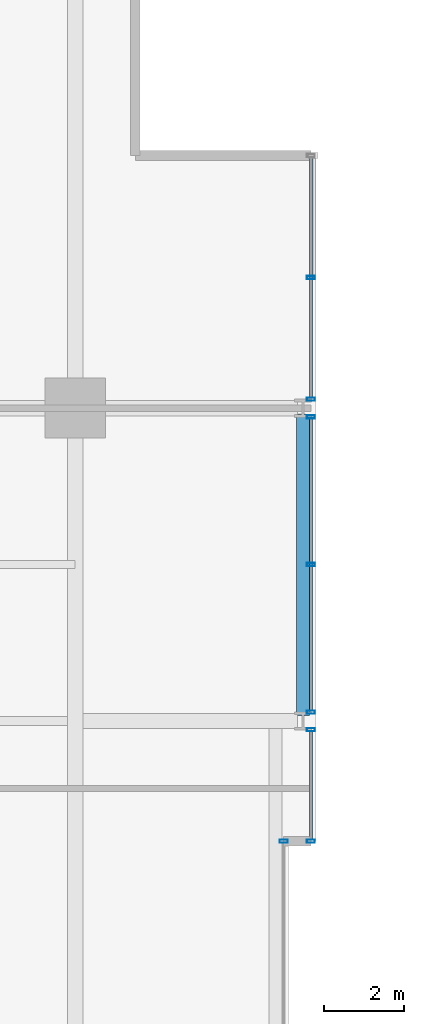
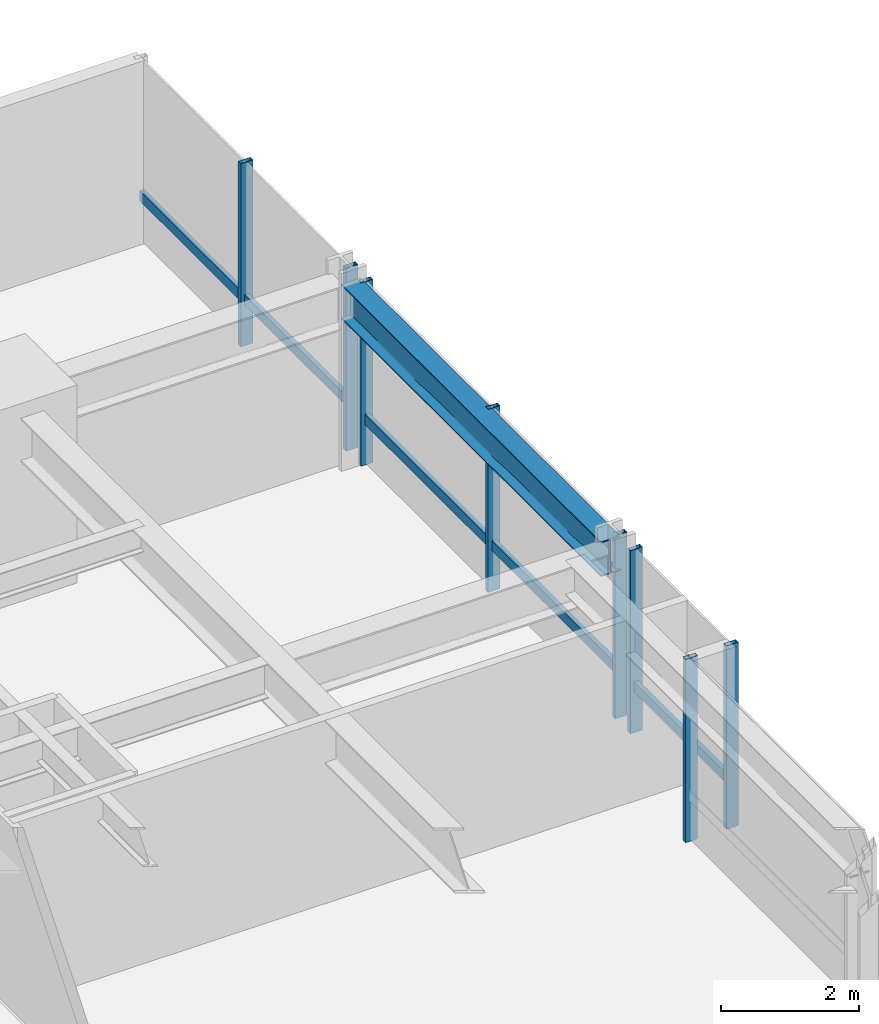
# One storey, part 24 of 34: 11 members, 1 beam, 4 elements without a shape of their own.
"""IFC4 building model written with IfcOpenShell, lengths in metres."""

from ifc_helpers import new_model, si_unit, direction, frame, origin, origin_2d, place, context, subcontext, project, spatial, hollow_rectangle, i_section, extrude, material, layer, layer_set, material_profile, profile_set, type_object, element, aggregate, save


model = new_model("IFC4")

# Units and contexts
model_context = context("Model", 3, precision=1e-05, world=origin(), true_north=direction((0.0, 1.0)))
body_context = subcontext(model_context, "Body", "Model", "MODEL_VIEW")
ifc_project = project(units=[si_unit("LENGTHUNIT", "METRE"), si_unit("AREAUNIT", "SQUARE_METRE"), si_unit("VOLUMEUNIT", "CUBIC_METRE"), si_unit("PLANEANGLEUNIT", "RADIAN"), si_unit("MASSUNIT", "GRAM", prefix="KILO")], contexts=[model_context])

# Site, building, storey
site_placement = place(None, origin())
site = spatial("IfcSite", under=ifc_project, at=site_placement, CompositionType="ELEMENT")
building_placement = place(site_placement, origin())
building = spatial("IfcBuilding", under=site, at=building_placement, Name="Drelvath Grand Hotel", CompositionType="ELEMENT")
storey_placement = place(building_placement, frame((0.0, 0.0, 112.800048828125)))
storey = spatial("IfcBuildingStorey", under=building, at=storey_placement, Name="L28", CompositionType="ELEMENT", Elevation=112.800048828125)

# Curtain wall, member
ifc_material_1 = material(Name="Champagne Bronze Anodised Aluminium Frame", Category="aluminium")
ifc_layer = layer(ifc_material_1, 0.199951171875)
ifc_layer_set = layer_set([ifc_layer], Name="Champagne Bronze Anodised Aluminium Frame")
curtain_wall_type = type_object("IfcCurtainWallType", Name="Stick Curtain Wall CW-03 Champagne Bronze Mid-Rise", PredefinedType="NOTDEFINED", material=ifc_layer_set)
curtain_wall_1_placement = place(storey_placement, origin())
curtain_wall_1 = element("IfcCurtainWall", 1, at=curtain_wall_1_placement, inside=storey, type_object=curtain_wall_type, Name="L28 CW-03 Curtain Wall CW03-L28-EN1", PredefinedType="NOTDEFINED")
ifc_material_profile_1 = material_profile(ifc_material_1, hollow_rectangle(XDim=0.074951171875, YDim=0.179931640625, WallThickness=0.0048828125, at=origin_2d()), Name="HSS180X75X5")
ifc_profile_set_1 = profile_set([ifc_material_profile_1], Name="Champagne Bronze Anodised Aluminium Frame")
member_type_1 = type_object("IfcMemberType", Name="Curtain Wall Horizontal Transom CW-03 HSS180X75X5", PredefinedType="USERDEFINED", material=ifc_profile_set_1)
member_1_placement = place(storey_placement, frame((22.080078125, 35.140380859375, 0.81005859375), z_axis=(0.0, -1.0, 0.0), x_axis=(1.0, 0.0, 0.0)))
member_1 = element("IfcMember", 2, at=member_1_placement, type_object=member_type_1, Name="CW03-L28-EN1 Sill Transom", ObjectType="TRANSOM", PredefinedType="USERDEFINED", context=body_context, shape_type="SweptSolid", body=[
    extrude(hollow_rectangle(XDim=0.074951171875, YDim=0.179931640625, WallThickness=0.0048828125, at=origin_2d()), origin(), (0.0, 0.0, 1.0), 2.700439453125),
])

curtain_wall_2_placement = place(storey_placement, origin())
curtain_wall_2 = element("IfcCurtainWall", 3, at=curtain_wall_2_placement, inside=storey, type_object=curtain_wall_type, Name="L28 CW-03 Curtain Wall CW03-L28-EN2", PredefinedType="NOTDEFINED")
member_2_placement = place(storey_placement, frame((22.080078125, 42.9404296875, 0.81005859375), z_axis=(0.0, -1.0, 0.0), x_axis=(1.0, 0.0, 0.0)))
member_2 = element("IfcMember", 4, at=member_2_placement, type_object=member_type_1, Name="CW03-L28-EN2 Sill Transom", ObjectType="TRANSOM", PredefinedType="USERDEFINED", context=body_context, shape_type="SweptSolid", body=[
    extrude(hollow_rectangle(XDim=0.074951171875, YDim=0.179931640625, WallThickness=0.0048828125, at=origin_2d()), origin(), (0.0, 0.0, 1.0), 7.28076171875),
])

curtain_wall_3_placement = place(storey_placement, origin())
curtain_wall_3 = element("IfcCurtainWall", 5, at=curtain_wall_3_placement, inside=storey, type_object=curtain_wall_type, Name="L28 CW-03 Curtain Wall CW03-L28-EN3", PredefinedType="NOTDEFINED")
member_3_placement = place(storey_placement, frame((22.080078125, 49.4599609375, 0.81005859375), z_axis=(0.0, -1.0, 0.0), x_axis=(1.0, 0.0, 0.0)))
member_3 = element("IfcMember", 6, at=member_3_placement, type_object=member_type_1, Name="CW03-L28-EN3 Sill Transom", ObjectType="TRANSOM", PredefinedType="USERDEFINED", context=body_context, shape_type="SweptSolid", body=[
    extrude(hollow_rectangle(XDim=0.074951171875, YDim=0.179931640625, WallThickness=0.0048828125, at=origin_2d()), origin(), (0.0, 0.0, 1.0), 6.000244140625),
])

# Member
ifc_material_profile_2 = material_profile(ifc_material_1, hollow_rectangle(XDim=0.080078125, YDim=0.199951171875, WallThickness=0.0048828125, at=origin_2d()), Name="HSS200X80X5")
ifc_profile_set_2 = profile_set([ifc_material_profile_2], Name="Champagne Bronze Anodised Aluminium Frame")
member_type_2 = type_object("IfcMemberType", Name="Curtain Wall Vertical Mullion CW-03 HSS200X80X5", PredefinedType="MULLION", material=ifc_profile_set_2)
member_4_placement = place(storey_placement, frame((22.080078125, 35.180419921875, 0.0), z_axis=(0.0, 0.0, 1.0), x_axis=(0.0, 1.0, 0.0)))
member_4 = element("IfcMember", 7, at=member_4_placement, type_object=member_type_2, Name="CW03-L28-EN1 Mullion 1", PredefinedType="MULLION", context=body_context, shape_type="SweptSolid", body=[
    extrude(hollow_rectangle(XDim=0.080078125, YDim=0.199951171875, WallThickness=0.0048828125, at=origin_2d()), origin(), (0.0, 0.0, 1.0), 3.239990234375),
])

member_5_placement = place(storey_placement, frame((22.080078125, 32.39990234375, 0.0), z_axis=(0.0, 0.0, 1.0), x_axis=(0.0, 1.0, 0.0)))
member_5 = element("IfcMember", 8, at=member_5_placement, type_object=member_type_2, Name="CW03-L28-EN1 Mullion 2", PredefinedType="MULLION", context=body_context, shape_type="SweptSolid", body=[
    extrude(hollow_rectangle(XDim=0.080078125, YDim=0.199951171875, WallThickness=0.0048828125, at=origin_2d()), origin(), (0.0, 0.0, 1.0), 3.239990234375),
])

aggregate(curtain_wall_1, [member_4, member_5, member_1])

member_6_placement = place(storey_placement, frame((22.080078125, 42.98046875, 0.0), z_axis=(0.0, 0.0, 1.0), x_axis=(0.0, 1.0, 0.0)))
member_6 = element("IfcMember", 9, at=member_6_placement, type_object=member_type_2, Name="CW03-L28-EN2 Mullion 1", PredefinedType="MULLION", context=body_context, shape_type="SweptSolid", body=[
    extrude(hollow_rectangle(XDim=0.080078125, YDim=0.199951171875, WallThickness=0.0048828125, at=origin_2d()), origin(), (0.0, 0.0, 1.0), 3.239990234375),
])

member_7_placement = place(storey_placement, frame((22.080078125, 39.300048828125, 0.0), z_axis=(0.0, 0.0, 1.0), x_axis=(0.0, 1.0, 0.0)))
member_7 = element("IfcMember", 10, at=member_7_placement, type_object=member_type_2, Name="CW03-L28-EN2 Mullion 2", PredefinedType="MULLION", context=body_context, shape_type="SweptSolid", body=[
    extrude(hollow_rectangle(XDim=0.080078125, YDim=0.199951171875, WallThickness=0.0048828125, at=origin_2d()), origin(), (0.0, 0.0, 1.0), 3.239990234375),
])

member_8_placement = place(storey_placement, frame((22.080078125, 35.61962890625, 0.0), z_axis=(0.0, 0.0, 1.0), x_axis=(0.0, 1.0, 0.0)))
member_8 = element("IfcMember", 11, at=member_8_placement, type_object=member_type_2, Name="CW03-L28-EN2 Mullion 3", PredefinedType="MULLION", context=body_context, shape_type="SweptSolid", body=[
    extrude(hollow_rectangle(XDim=0.080078125, YDim=0.199951171875, WallThickness=0.0048828125, at=origin_2d()), origin(), (0.0, 0.0, 1.0), 3.239990234375),
])

aggregate(curtain_wall_2, [member_6, member_7, member_8, member_2])

member_9_placement = place(storey_placement, frame((22.080078125, 46.459716796875, 0.0), z_axis=(0.0, 0.0, 1.0), x_axis=(0.0, 1.0, 0.0)))
member_9 = element("IfcMember", 12, at=member_9_placement, type_object=member_type_2, Name="CW03-L28-EN3 Mullion 2", PredefinedType="MULLION", context=body_context, shape_type="SweptSolid", body=[
    extrude(hollow_rectangle(XDim=0.080078125, YDim=0.199951171875, WallThickness=0.0048828125, at=origin_2d()), origin(), (0.0, 0.0, 1.0), 3.239990234375),
])

member_10_placement = place(storey_placement, frame((22.080078125, 43.419677734375, 0.0), z_axis=(0.0, 0.0, 1.0), x_axis=(0.0, 1.0, 0.0)))
member_10 = element("IfcMember", 13, at=member_10_placement, type_object=member_type_2, Name="CW03-L28-EN3 Mullion 3", PredefinedType="MULLION", context=body_context, shape_type="SweptSolid", body=[
    extrude(hollow_rectangle(XDim=0.080078125, YDim=0.199951171875, WallThickness=0.0048828125, at=origin_2d()), origin(), (0.0, 0.0, 1.0), 3.239990234375),
])

aggregate(curtain_wall_3, [member_9, member_10, member_3])

# Curtain wall, member
curtain_wall_4_placement = place(storey_placement, origin())
curtain_wall_4 = element("IfcCurtainWall", 14, at=curtain_wall_4_placement, inside=storey, type_object=curtain_wall_type, Name="L28 CW-03 Curtain Wall CW03-L28-EM2", PredefinedType="NOTDEFINED")
member_11_placement = place(storey_placement, frame((21.39990234375, 32.39990234375, 0.0), z_axis=(0.0, 0.0, 1.0), x_axis=(0.0, 1.0, 0.0)))
member_11 = element("IfcMember", 15, at=member_11_placement, type_object=member_type_2, Name="CW03-L28-EM2 Mullion 1", PredefinedType="MULLION", context=body_context, shape_type="SweptSolid", body=[
    extrude(hollow_rectangle(XDim=0.080078125, YDim=0.199951171875, WallThickness=0.0048828125, at=origin_2d()), origin(), (0.0, 0.0, 1.0), 3.239990234375),
])
aggregate(curtain_wall_4, [member_11])

# Beam
ifc_material_2 = material(Name="Steel ASTM A992 Gr 50", Category="steel")
ifc_material_profile_3 = material_profile(ifc_material_2, i_section(OverallWidth=0.323974609375, OverallDepth=0.611083984375, WebThickness=0.0126953125, FlangeThickness=0.01904296875, FilletRadius=0.02197265625, at=origin_2d()), Name="W24X104")
ifc_profile_set_3 = profile_set([ifc_material_profile_3], Name="Steel ASTM A992 Gr 50")
beam_type = type_object("IfcBeamType", Name="Perimeter Spandrel Beam W24X104", PredefinedType="SPANDREL", material=ifc_profile_set_3)
beam_placement = place(storey_placement, frame((21.8798828125, 35.5400390625, 2.9345703125), z_axis=(0.0, 1.0, 0.0), x_axis=(-1.0, 0.0, 0.0)))
element("IfcBeam", 16, at=beam_placement, inside=storey, type_object=beam_type, Name="L28 Spandrel East N", PredefinedType="SPANDREL", context=body_context, shape_type="SweptSolid", body=[
    extrude(i_section(OverallWidth=0.323974609375, OverallDepth=0.611083984375, WebThickness=0.0126953125, FlangeThickness=0.01904296875, FilletRadius=0.02197265625, at=origin_2d()), origin(), (0.0, 0.0, 1.0), 7.52001953125),
])

save(model, "model.ifc")
